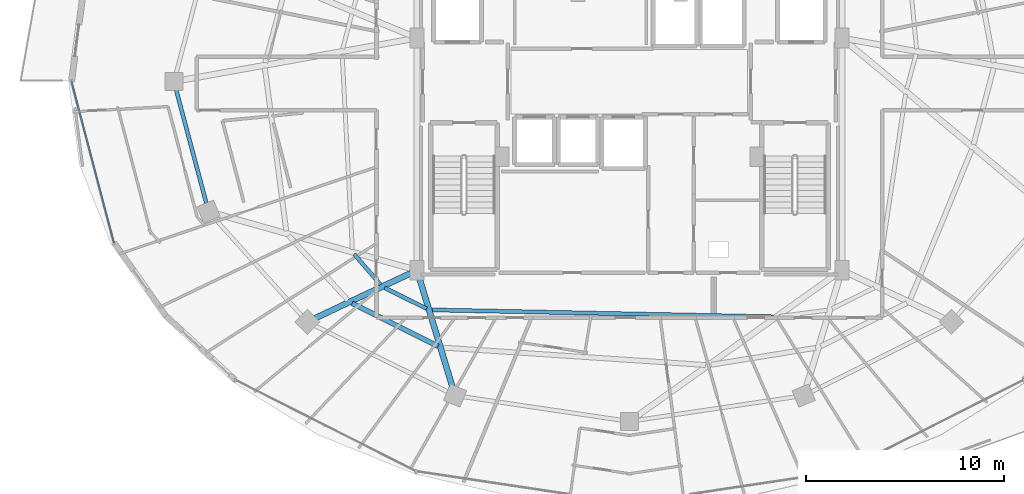
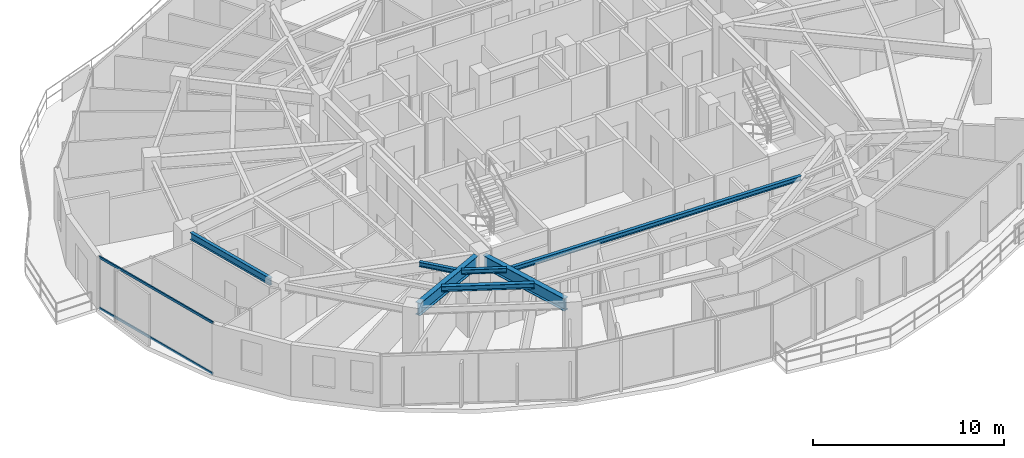
# One storey, part 6 of 34: 7 beams, 2 members, 1 element without a shape of its own.
"""IFC4 building model written with IfcOpenShell, lengths in metres."""

from ifc_helpers import new_model, si_unit, direction, frame, origin, origin_2d, place, context, subcontext, project, spatial, hollow_rectangle, i_section, extrude, material, material_profile, profile_set, type_object, element, aggregate, save


model = new_model("IFC4")

# Units and contexts
model_context = context("Model", 3, precision=1e-05, world=origin(), true_north=direction((0.0, 1.0)))
body_context = subcontext(model_context, "Body", "Model", "MODEL_VIEW")
ifc_project = project(units=[si_unit("LENGTHUNIT", "METRE"), si_unit("AREAUNIT", "SQUARE_METRE"), si_unit("VOLUMEUNIT", "CUBIC_METRE"), si_unit("PLANEANGLEUNIT", "RADIAN"), si_unit("MASSUNIT", "GRAM", prefix="KILO")], contexts=[model_context])

# Site, building, storey
site_placement = place(None, origin())
site = spatial("IfcSite", under=ifc_project, at=site_placement, CompositionType="ELEMENT")
building_placement = place(site_placement, origin())
building = spatial("IfcBuilding", under=site, at=building_placement, Name="Vorneva Point Tower", CompositionType="ELEMENT")
storey_placement = place(building_placement, frame((0.0, 0.0, 210.75)))
storey = spatial("IfcBuildingStorey", under=building, at=storey_placement, Name="L57", CompositionType="ELEMENT", Elevation=210.75)

# Beams
ifc_material_1 = material(Name="Steel S355", Category="steel")
ifc_material_profile_1 = material_profile(ifc_material_1, i_section(OverallWidth=0.300048828125, OverallDepth=0.7880859375, WebThickness=0.014404296875, FlangeThickness=0.02197265625, at=origin_2d()), Name="80Sh1")
ifc_profile_set_1 = profile_set([ifc_material_profile_1], Name="Steel S355")
beam_type_1 = type_object("IfcBeamType", Name="BM-GRD-80Sh1", PredefinedType="USERDEFINED", material=ifc_profile_set_1)
beam_1_placement = place(storey_placement, frame((22.097412109375, 14.0244140625, 2.89599609375), z_axis=(0.904762899762, 0.42591559635, 0.0), x_axis=(-0.42591559635, 0.904762899762, 0.0)))
element("IfcBeam", 1, at=beam_1_placement, inside=storey, type_object=beam_type_1, Name="L57 Radial Primary Girder 11", ObjectType="GIRDER", PredefinedType="USERDEFINED", context=body_context, shape_type="SweptSolid", body=[
    extrude(i_section(OverallWidth=0.300048828125, OverallDepth=0.7880859375, WebThickness=0.014404296875, FlangeThickness=0.02197265625, at=origin_2d()), origin(), (0.0, 0.0, 1.0), 5.35498046875),
])
beam_2_placement = place(storey_placement, frame((29.051513671875, 10.5283203125, 2.89599609375), z_axis=(-0.291025429135, 0.956715317948, 0.0), x_axis=(-0.956715317948, -0.291025429135, 0.0)))
element("IfcBeam", 2, at=beam_2_placement, inside=storey, type_object=beam_type_1, Name="L57 Radial Primary Girder 12", ObjectType="GIRDER", PredefinedType="USERDEFINED", context=body_context, shape_type="SweptSolid", body=[
    extrude(i_section(OverallWidth=0.300048828125, OverallDepth=0.7880859375, WebThickness=0.014404296875, FlangeThickness=0.02197265625, at=origin_2d()), origin(), (0.0, 0.0, 1.0), 5.849609375),
])
ifc_material_profile_2 = material_profile(ifc_material_1, i_section(OverallWidth=0.199951171875, OverallDepth=0.291015625, WebThickness=0.008056640625, FlangeThickness=0.010986328125, at=origin_2d()), Name="30Sh1")
ifc_profile_set_2 = profile_set([ifc_material_profile_2], Name="Steel S355")
beam_type_2 = type_object("IfcBeamType", Name="BM-SEC-30Sh1", PredefinedType="BEAM", material=ifc_profile_set_2)
beam_3_placement = place(storey_placement, frame((24.07373046875, 17.2646484375, 3.14453125), z_axis=(0.652492456858, -0.757795218871, 0.0), x_axis=(0.757795218871, 0.652492456858, 0.0)))
element("IfcBeam", 3, at=beam_3_placement, inside=storey, type_object=beam_type_2, Name="L57 Secondary Floor Beam 2.10", PredefinedType="BEAM", context=body_context, shape_type="SweptSolid", body=[
    extrude(i_section(OverallWidth=0.199951171875, OverallDepth=0.291015625, WebThickness=0.008056640625, FlangeThickness=0.010986328125, at=origin_2d()), origin(), (0.0, 0.0, 1.0), 2.031005859375),
])
beam_4_placement = place(storey_placement, frame((25.612548828125, 15.559814453125, 3.14453125), z_axis=(0.895946483514, -0.4441620185, 0.0), x_axis=(0.4441620185, 0.895946483514, 0.0)))
element("IfcBeam", 4, at=beam_4_placement, inside=storey, type_object=beam_type_2, Name="L57 Secondary Floor Beam 2.11", PredefinedType="BEAM", context=body_context, shape_type="SweptSolid", body=[
    extrude(i_section(OverallWidth=0.199951171875, OverallDepth=0.291015625, WebThickness=0.008056640625, FlangeThickness=0.010986328125, at=origin_2d()), origin(), (0.0, 0.0, 1.0), 2.3701171875),
])
beam_5_placement = place(storey_placement, frame((27.997802734375, 14.443115234375, 3.14453125), z_axis=(0.999798766182, -0.020060586778, 0.0), x_axis=(0.020060586778, 0.999798766182, 0.0)))
element("IfcBeam", 5, at=beam_5_placement, inside=storey, type_object=beam_type_2, Name="L57 Secondary Floor Beam 2.12", PredefinedType="BEAM", context=body_context, shape_type="SweptSolid", body=[
    extrude(i_section(OverallWidth=0.199951171875, OverallDepth=0.291015625, WebThickness=0.008056640625, FlangeThickness=0.010986328125, at=origin_2d()), origin(), (0.0, 0.0, 1.0), 17.305908203125),
])
ifc_material_profile_3 = material_profile(ifc_material_1, i_section(OverallWidth=0.2490234375, OverallDepth=0.333984375, WebThickness=0.008056640625, FlangeThickness=0.010986328125, at=origin_2d()), Name="35Sh1")
ifc_profile_set_3 = profile_set([ifc_material_profile_3], Name="Steel S355")
beam_type_3 = type_object("IfcBeamType", Name="BM-SEC-35Sh1", PredefinedType="BEAM", material=ifc_profile_set_3)
beam_6_placement = place(storey_placement, frame((23.965087890625, 14.78369140625, 3.123046875), z_axis=(0.89410580889, -0.44785578316, 0.0), x_axis=(0.44785578316, 0.89410580889, 0.0)))
element("IfcBeam", 6, at=beam_6_placement, inside=storey, type_object=beam_type_3, Name="L57 Secondary Floor Beam 1.11", PredefinedType="BEAM", context=body_context, shape_type="SweptSolid", body=[
    extrude(i_section(OverallWidth=0.2490234375, OverallDepth=0.333984375, WebThickness=0.008056640625, FlangeThickness=0.010986328125, at=origin_2d()), origin(), (0.0, 0.0, 1.0), 4.865234375),
])
ifc_material_profile_4 = material_profile(ifc_material_1, i_section(OverallWidth=0.198974609375, OverallDepth=0.446044921875, WebThickness=0.008056640625, FlangeThickness=0.011962890625, at=origin_2d()), Name="45B1")
ifc_profile_set_4 = profile_set([ifc_material_profile_4], Name="Steel S355")
beam_type_4 = type_object("IfcBeamType", Name="BM-SPN-45B1", PredefinedType="SPANDREL", material=ifc_profile_set_4)
beam_7_placement = place(storey_placement, frame((15.06201171875, 25.57958984375, 3.06689453125), z_axis=(0.257578258003, -0.966257440336, 0.0), x_axis=(0.966257440336, 0.257578258003, 0.0)))
element("IfcBeam", 7, at=beam_7_placement, inside=storey, type_object=beam_type_4, Name="L57 Perimeter Spandrel Ring Beam 09", PredefinedType="SPANDREL", context=body_context, shape_type="SweptSolid", body=[
    extrude(i_section(OverallWidth=0.198974609375, OverallDepth=0.446044921875, WebThickness=0.008056640625, FlangeThickness=0.011962890625, at=origin_2d()), origin(), (0.0, 0.0, 1.0), 5.94189453125),
])

# Curtain wall, members
ifc_material_2 = material(Name="Pale anodised aluminium", Category="aluminium")
curtain_wall_type = type_object("IfcCurtainWallType", Name="CW-RES-SYS", PredefinedType="NOTDEFINED", material=ifc_material_2)
curtain_wall_placement = place(storey_placement, origin())
curtain_wall = element("IfcCurtainWall", 8, at=curtain_wall_placement, inside=storey, type_object=curtain_wall_type, Name="L57 Unitised Curtain Wall CW-L57-R03", PredefinedType="NOTDEFINED")
ifc_material_profile_5 = material_profile(ifc_material_2, hollow_rectangle(XDim=0.074951171875, YDim=0.14990234375, WallThickness=0.00390625, at=origin_2d()), Name="AL-TRN 150x75x4")
ifc_profile_set_5 = profile_set([ifc_material_profile_5], Name="Pale anodised aluminium")
member_type = type_object("IfcMemberType", Name="CW-TRN-150", PredefinedType="USERDEFINED", material=ifc_profile_set_5)
member_1_placement = place(storey_placement, frame((9.77001953125, 26.0, 0.02001953125), z_axis=(0.254362431281, -0.967108966742, 0.0), x_axis=(0.967108966742, 0.254362431281, 0.0)))
member_1 = element("IfcMember", 9, at=member_1_placement, type_object=member_type, Name="CW-L57-R03 Transom 01.1", ObjectType="TRANSOM", PredefinedType="USERDEFINED", context=body_context, shape_type="SweptSolid", body=[
    extrude(hollow_rectangle(XDim=0.074951171875, YDim=0.14990234375, WallThickness=0.00390625, at=origin_2d()), origin(), (0.0, 0.0, 1.0), 8.4482421875),
])
member_2_placement = place(storey_placement, frame((9.77001953125, 26.0, 3.27001953125), z_axis=(0.254362431281, -0.967108966742, 0.0), x_axis=(0.967108966742, 0.254362431281, 0.0)))
member_2 = element("IfcMember", 10, at=member_2_placement, type_object=member_type, Name="CW-L57-R03 Transom 01.2", ObjectType="TRANSOM", PredefinedType="USERDEFINED", context=body_context, shape_type="SweptSolid", body=[
    extrude(hollow_rectangle(XDim=0.074951171875, YDim=0.14990234375, WallThickness=0.00390625, at=origin_2d()), origin(), (0.0, 0.0, 1.0), 8.4482421875),
])
aggregate(curtain_wall, [member_1, member_2])

save(model, "model.ifc")
